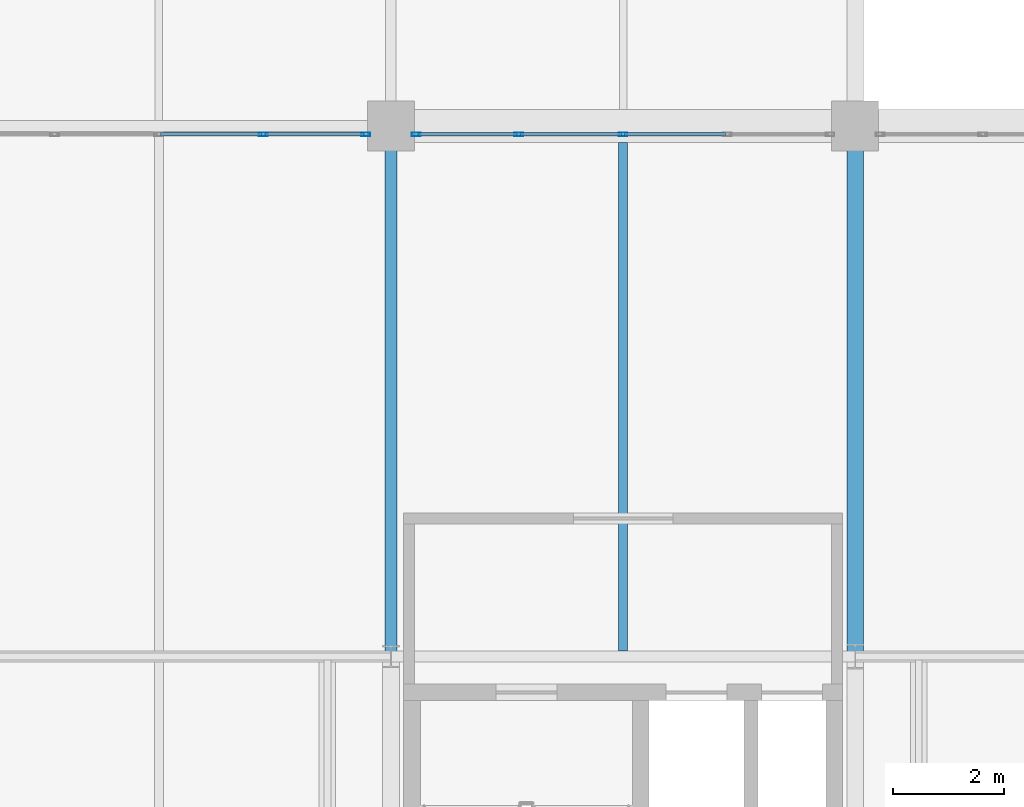
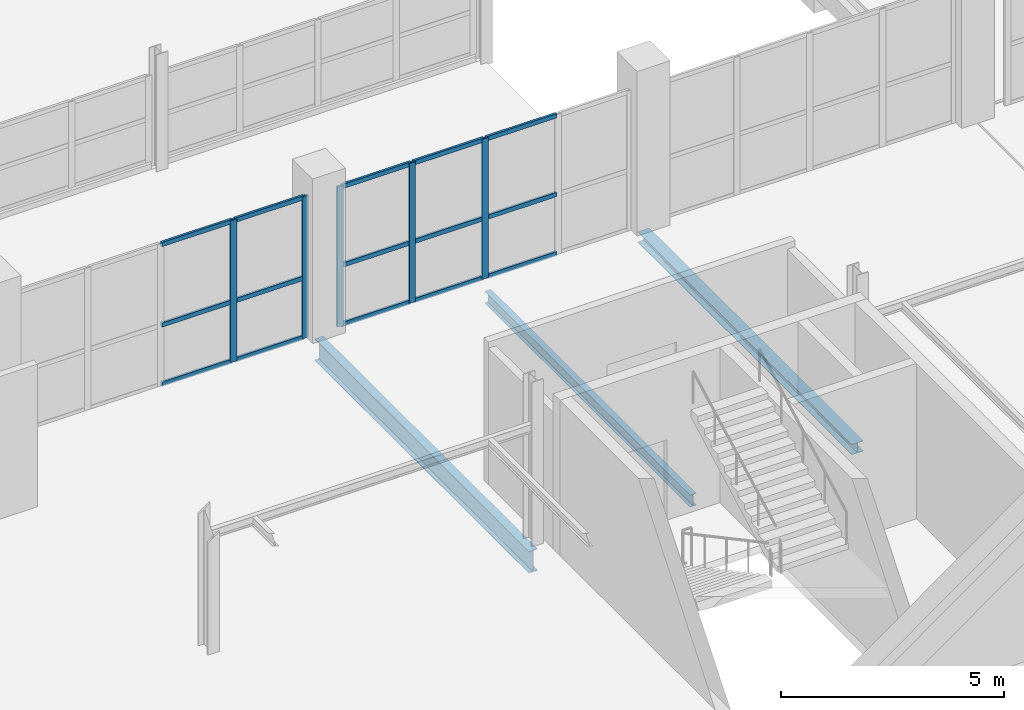
# One storey, part 40 of 103: 20 members, 3 beams, 2 elements without a shape of their own.
"""IFC4 building model written with IfcOpenShell, lengths in metres."""

from ifc_helpers import new_model, si_unit, direction, frame, origin, origin_2d, place, context, subcontext, project, spatial, hollow_rectangle, i_section, extrude, material, material_profile, profile_set, type_object, element, aggregate, save


model = new_model("IFC4")

# Units and contexts
model_context = context("Model", 3, precision=1e-05, world=origin(), true_north=direction((0.0, 1.0)))
body_context = subcontext(model_context, "Body", "Model", "MODEL_VIEW")
ifc_project = project(units=[si_unit("LENGTHUNIT", "METRE"), si_unit("AREAUNIT", "SQUARE_METRE"), si_unit("VOLUMEUNIT", "CUBIC_METRE"), si_unit("PLANEANGLEUNIT", "RADIAN"), si_unit("MASSUNIT", "GRAM", prefix="KILO")], contexts=[model_context])

# Site, building, storey
site_placement = place(None, origin())
site = spatial("IfcSite", under=ifc_project, at=site_placement, CompositionType="ELEMENT")
building_placement = place(site_placement, origin())
building = spatial("IfcBuilding", under=site, at=building_placement, Name="Veltarok Museum of Natural Sciences", CompositionType="ELEMENT")
storey_placement = place(building_placement, frame((0.0, 0.0, 21.89990234375)))
storey = spatial("IfcBuildingStorey", under=building, at=storey_placement, Name="L04", CompositionType="ELEMENT", Elevation=21.89990234375)

# Curtain wall, members
ifc_material_1 = material(Name="Low-iron triple insulated glass", Category="glass")
curtain_wall_type_1 = type_object("IfcCurtainWallType", Name="Curtain Wall System CW-V1CN4-L04-0-755x388 (CW-V1CN4 L04 755x388cm)", PredefinedType="NOTDEFINED", material=ifc_material_1)
curtain_wall_1_placement = place(storey_placement, origin())
curtain_wall_1 = element("IfcCurtainWall", 1, at=curtain_wall_1_placement, inside=storey, type_object=curtain_wall_type_1, Name="Curtain Wall CW-V1CN4-L04-0-755x388 CW-0168", PredefinedType="NOTDEFINED")
ifc_material_2 = material(Name="Thermally broken anodised aluminium", Category="aluminium")
ifc_material_profile_1 = material_profile(ifc_material_2, hollow_rectangle(XDim=0.06005859375, YDim=0.1201171875, WallThickness=0.0048828125, at=origin_2d()), Name="CW TRANSOM 60x120x5")
ifc_profile_set_1 = profile_set([ifc_material_profile_1], Name="Thermally broken anodised aluminium")
member_type_1 = type_object("IfcMemberType", Name="Curtain Wall Horizontal Transom 60x120x5", PredefinedType="USERDEFINED", material=ifc_profile_set_1)
member_1_placement = place(storey_placement, frame((89.9150390625, 19.050048828125, 0.028076171875), z_axis=(-1.0, 0.0, 0.0), x_axis=(0.0, -1.0, 0.0)))
member_1 = element("IfcMember", 2, at=member_1_placement, type_object=member_type_1, Name="CW-V1CN4-L04-0-755x388 transom 1.1", ObjectType="TRANSOM", PredefinedType="USERDEFINED", context=body_context, shape_type="SweptSolid", body=[
    extrude(hollow_rectangle(XDim=0.06005859375, YDim=0.1201171875, WallThickness=0.0048828125, at=origin_2d()), origin(), (0.0, 0.0, 1.0), 1.797607421875),
])
member_2_placement = place(storey_placement, frame((89.9150390625, 19.050048828125, 1.648193359375), z_axis=(-1.0, 0.0, 0.0), x_axis=(0.0, -1.0, 0.0)))
member_2 = element("IfcMember", 3, at=member_2_placement, type_object=member_type_1, Name="CW-V1CN4-L04-0-755x388 transom 1.2", ObjectType="TRANSOM", PredefinedType="USERDEFINED", context=body_context, shape_type="SweptSolid", body=[
    extrude(hollow_rectangle(XDim=0.06005859375, YDim=0.1201171875, WallThickness=0.0048828125, at=origin_2d()), origin(), (0.0, 0.0, 1.0), 1.797607421875),
])
member_3_placement = place(storey_placement, frame((89.9150390625, 19.050048828125, 3.85009765625), z_axis=(-1.0, 0.0, 0.0), x_axis=(0.0, -1.0, 0.0)))
member_3 = element("IfcMember", 4, at=member_3_placement, type_object=member_type_1, Name="CW-V1CN4-L04-0-755x388 transom 1.3", ObjectType="TRANSOM", PredefinedType="USERDEFINED", context=body_context, shape_type="SweptSolid", body=[
    extrude(hollow_rectangle(XDim=0.06005859375, YDim=0.1201171875, WallThickness=0.0048828125, at=origin_2d()), origin(), (0.0, 0.0, 1.0), 1.797607421875),
])
member_4_placement = place(storey_placement, frame((88.0576171875, 19.050048828125, 0.028076171875), z_axis=(-1.0, 0.0, 0.0), x_axis=(0.0, -1.0, 0.0)))
member_4 = element("IfcMember", 5, at=member_4_placement, type_object=member_type_1, Name="CW-V1CN4-L04-0-755x388 transom 2.1", ObjectType="TRANSOM", PredefinedType="USERDEFINED", context=body_context, shape_type="SweptSolid", body=[
    extrude(hollow_rectangle(XDim=0.06005859375, YDim=0.1201171875, WallThickness=0.0048828125, at=origin_2d()), origin(), (0.0, 0.0, 1.0), 1.82763671875),
])
member_5_placement = place(storey_placement, frame((88.0576171875, 19.050048828125, 1.648193359375), z_axis=(-1.0, 0.0, 0.0), x_axis=(0.0, -1.0, 0.0)))
member_5 = element("IfcMember", 6, at=member_5_placement, type_object=member_type_1, Name="CW-V1CN4-L04-0-755x388 transom 2.2", ObjectType="TRANSOM", PredefinedType="USERDEFINED", context=body_context, shape_type="SweptSolid", body=[
    extrude(hollow_rectangle(XDim=0.06005859375, YDim=0.1201171875, WallThickness=0.0048828125, at=origin_2d()), origin(), (0.0, 0.0, 1.0), 1.82763671875),
])
member_6_placement = place(storey_placement, frame((88.0576171875, 19.050048828125, 3.85009765625), z_axis=(-1.0, 0.0, 0.0), x_axis=(0.0, -1.0, 0.0)))
member_6 = element("IfcMember", 7, at=member_6_placement, type_object=member_type_1, Name="CW-V1CN4-L04-0-755x388 transom 2.3", ObjectType="TRANSOM", PredefinedType="USERDEFINED", context=body_context, shape_type="SweptSolid", body=[
    extrude(hollow_rectangle(XDim=0.06005859375, YDim=0.1201171875, WallThickness=0.0048828125, at=origin_2d()), origin(), (0.0, 0.0, 1.0), 1.82763671875),
])

curtain_wall_type_2 = type_object("IfcCurtainWallType", Name="Curtain Wall System CW-V1CN4-L04-1-755x383 (CW-V1CN4 L04 755x383cm)", PredefinedType="NOTDEFINED", material=ifc_material_1)
curtain_wall_2_placement = place(storey_placement, origin())
curtain_wall_2 = element("IfcCurtainWall", 8, at=curtain_wall_2_placement, inside=storey, type_object=curtain_wall_type_2, Name="Curtain Wall CW-V1CN4-L04-1-755x383 CW-0169", PredefinedType="NOTDEFINED")
member_7_placement = place(storey_placement, frame((96.45751953125, 19.050048828125, 0.028076171875), z_axis=(-1.0, 0.0, 0.0), x_axis=(0.0, -1.0, 0.0)))
member_7 = element("IfcMember", 9, at=member_7_placement, type_object=member_type_1, Name="CW-V1CN4-L04-1-755x383 transom 2.1", ObjectType="TRANSOM", PredefinedType="USERDEFINED", context=body_context, shape_type="SweptSolid", body=[
    extrude(hollow_rectangle(XDim=0.06005859375, YDim=0.1201171875, WallThickness=0.0048828125, at=origin_2d()), origin(), (0.0, 0.0, 1.0), 1.82763671875),
])
member_8_placement = place(storey_placement, frame((96.45751953125, 19.050048828125, 1.648193359375), z_axis=(-1.0, 0.0, 0.0), x_axis=(0.0, -1.0, 0.0)))
member_8 = element("IfcMember", 10, at=member_8_placement, type_object=member_type_1, Name="CW-V1CN4-L04-1-755x383 transom 2.2", ObjectType="TRANSOM", PredefinedType="USERDEFINED", context=body_context, shape_type="SweptSolid", body=[
    extrude(hollow_rectangle(XDim=0.06005859375, YDim=0.1201171875, WallThickness=0.0048828125, at=origin_2d()), origin(), (0.0, 0.0, 1.0), 1.82763671875),
])
member_9_placement = place(storey_placement, frame((96.45751953125, 19.050048828125, 3.800048828125), z_axis=(-1.0, 0.0, 0.0), x_axis=(0.0, -1.0, 0.0)))
member_9 = element("IfcMember", 11, at=member_9_placement, type_object=member_type_1, Name="CW-V1CN4-L04-1-755x383 transom 2.3", ObjectType="TRANSOM", PredefinedType="USERDEFINED", context=body_context, shape_type="SweptSolid", body=[
    extrude(hollow_rectangle(XDim=0.06005859375, YDim=0.1201171875, WallThickness=0.0048828125, at=origin_2d()), origin(), (0.0, 0.0, 1.0), 1.82763671875),
])
member_10_placement = place(storey_placement, frame((94.570068359375, 19.050048828125, 0.028076171875), z_axis=(-1.0, 0.0, 0.0), x_axis=(0.0, -1.0, 0.0)))
member_10 = element("IfcMember", 12, at=member_10_placement, type_object=member_type_1, Name="CW-V1CN4-L04-1-755x383 transom 3.1", ObjectType="TRANSOM", PredefinedType="USERDEFINED", context=body_context, shape_type="SweptSolid", body=[
    extrude(hollow_rectangle(XDim=0.06005859375, YDim=0.1201171875, WallThickness=0.0048828125, at=origin_2d()), origin(), (0.0, 0.0, 1.0), 1.82763671875),
])
member_11_placement = place(storey_placement, frame((94.570068359375, 19.050048828125, 1.648193359375), z_axis=(-1.0, 0.0, 0.0), x_axis=(0.0, -1.0, 0.0)))
member_11 = element("IfcMember", 13, at=member_11_placement, type_object=member_type_1, Name="CW-V1CN4-L04-1-755x383 transom 3.2", ObjectType="TRANSOM", PredefinedType="USERDEFINED", context=body_context, shape_type="SweptSolid", body=[
    extrude(hollow_rectangle(XDim=0.06005859375, YDim=0.1201171875, WallThickness=0.0048828125, at=origin_2d()), origin(), (0.0, 0.0, 1.0), 1.82763671875),
])
member_12_placement = place(storey_placement, frame((94.570068359375, 19.050048828125, 3.800048828125), z_axis=(-1.0, 0.0, 0.0), x_axis=(0.0, -1.0, 0.0)))
member_12 = element("IfcMember", 14, at=member_12_placement, type_object=member_type_1, Name="CW-V1CN4-L04-1-755x383 transom 3.3", ObjectType="TRANSOM", PredefinedType="USERDEFINED", context=body_context, shape_type="SweptSolid", body=[
    extrude(hollow_rectangle(XDim=0.06005859375, YDim=0.1201171875, WallThickness=0.0048828125, at=origin_2d()), origin(), (0.0, 0.0, 1.0), 1.82763671875),
])
member_13_placement = place(storey_placement, frame((92.6826171875, 19.050048828125, 0.028076171875), z_axis=(-1.0, 0.0, 0.0), x_axis=(0.0, -1.0, 0.0)))
member_13 = element("IfcMember", 15, at=member_13_placement, type_object=member_type_1, Name="CW-V1CN4-L04-1-755x383 transom 4.1", ObjectType="TRANSOM", PredefinedType="USERDEFINED", context=body_context, shape_type="SweptSolid", body=[
    extrude(hollow_rectangle(XDim=0.06005859375, YDim=0.1201171875, WallThickness=0.0048828125, at=origin_2d()), origin(), (0.0, 0.0, 1.0), 1.797607421875),
])
member_14_placement = place(storey_placement, frame((92.6826171875, 19.050048828125, 1.648193359375), z_axis=(-1.0, 0.0, 0.0), x_axis=(0.0, -1.0, 0.0)))
member_14 = element("IfcMember", 16, at=member_14_placement, type_object=member_type_1, Name="CW-V1CN4-L04-1-755x383 transom 4.2", ObjectType="TRANSOM", PredefinedType="USERDEFINED", context=body_context, shape_type="SweptSolid", body=[
    extrude(hollow_rectangle(XDim=0.06005859375, YDim=0.1201171875, WallThickness=0.0048828125, at=origin_2d()), origin(), (0.0, 0.0, 1.0), 1.797607421875),
])
member_15_placement = place(storey_placement, frame((92.6826171875, 19.050048828125, 3.800048828125), z_axis=(-1.0, 0.0, 0.0), x_axis=(0.0, -1.0, 0.0)))
member_15 = element("IfcMember", 17, at=member_15_placement, type_object=member_type_1, Name="CW-V1CN4-L04-1-755x383 transom 4.3", ObjectType="TRANSOM", PredefinedType="USERDEFINED", context=body_context, shape_type="SweptSolid", body=[
    extrude(hollow_rectangle(XDim=0.06005859375, YDim=0.1201171875, WallThickness=0.0048828125, at=origin_2d()), origin(), (0.0, 0.0, 1.0), 1.797607421875),
])

# Member
ifc_material_profile_2 = material_profile(ifc_material_2, hollow_rectangle(XDim=0.06005859375, YDim=0.159912109375, WallThickness=0.0048828125, at=origin_2d()), Name="CW MULLION 60x160x5")
ifc_profile_set_2 = profile_set([ifc_material_profile_2], Name="Thermally broken anodised aluminium")
member_type_2 = type_object("IfcMemberType", Name="Curtain Wall Vertical Mullion 60x160x5", PredefinedType="MULLION", material=ifc_profile_set_2)
member_16_placement = place(storey_placement, frame((89.945068359375, 19.050048828125, -0.001953125), z_axis=(0.0, 0.0, 1.0), x_axis=(0.0, -1.0, 0.0)))
member_16 = element("IfcMember", 18, at=member_16_placement, type_object=member_type_2, Name="CW-V1CN4-L04-0-755x388 mullion 1", PredefinedType="MULLION", context=body_context, shape_type="SweptSolid", body=[
    extrude(hollow_rectangle(XDim=0.06005859375, YDim=0.159912109375, WallThickness=0.0048828125, at=origin_2d()), origin(), (0.0, 0.0, 1.0), 3.882080078125),
])

member_17_placement = place(storey_placement, frame((88.08740234375, 19.050048828125, -0.001953125), z_axis=(0.0, 0.0, 1.0), x_axis=(0.0, -1.0, 0.0)))
member_17 = element("IfcMember", 19, at=member_17_placement, type_object=member_type_2, Name="CW-V1CN4-L04-0-755x388 mullion 2", PredefinedType="MULLION", context=body_context, shape_type="SweptSolid", body=[
    extrude(hollow_rectangle(XDim=0.06005859375, YDim=0.159912109375, WallThickness=0.0048828125, at=origin_2d()), origin(), (0.0, 0.0, 1.0), 3.882080078125),
])

aggregate(curtain_wall_1, [member_16, member_17, member_1, member_2, member_3, member_4, member_5, member_6])

member_18_placement = place(storey_placement, frame((94.60009765625, 19.050048828125, -0.001953125), z_axis=(0.0, 0.0, 1.0), x_axis=(0.0, -1.0, 0.0)))
member_18 = element("IfcMember", 20, at=member_18_placement, type_object=member_type_2, Name="CW-V1CN4-L04-1-755x383 mullion 3", PredefinedType="MULLION", context=body_context, shape_type="SweptSolid", body=[
    extrude(hollow_rectangle(XDim=0.06005859375, YDim=0.159912109375, WallThickness=0.0048828125, at=origin_2d()), origin(), (0.0, 0.0, 1.0), 3.83203125),
])

member_19_placement = place(storey_placement, frame((92.71240234375, 19.050048828125, -0.001953125), z_axis=(0.0, 0.0, 1.0), x_axis=(0.0, -1.0, 0.0)))
member_19 = element("IfcMember", 21, at=member_19_placement, type_object=member_type_2, Name="CW-V1CN4-L04-1-755x383 mullion 4", PredefinedType="MULLION", context=body_context, shape_type="SweptSolid", body=[
    extrude(hollow_rectangle(XDim=0.06005859375, YDim=0.159912109375, WallThickness=0.0048828125, at=origin_2d()), origin(), (0.0, 0.0, 1.0), 3.83203125),
])

member_20_placement = place(storey_placement, frame((90.85498046875, 19.050048828125, -0.001953125), z_axis=(0.0, 0.0, 1.0), x_axis=(0.0, -1.0, 0.0)))
member_20 = element("IfcMember", 22, at=member_20_placement, type_object=member_type_2, Name="CW-V1CN4-L04-1-755x383 mullion 5", PredefinedType="MULLION", context=body_context, shape_type="SweptSolid", body=[
    extrude(hollow_rectangle(XDim=0.06005859375, YDim=0.159912109375, WallThickness=0.0048828125, at=origin_2d()), origin(), (0.0, 0.0, 1.0), 3.83203125),
])

aggregate(curtain_wall_2, [member_18, member_19, member_20, member_7, member_8, member_9, member_10, member_11, member_12, member_13, member_14, member_15])

# Beams
ifc_material_3 = material(Name="Steel S355J2", Category="steel")
ifc_material_profile_3 = material_profile(ifc_material_3, i_section(OverallWidth=0.300048828125, OverallDepth=0.2900390625, WebThickness=0.008544921875, FlangeThickness=0.013916015625, FilletRadius=0.027099609375, at=origin_2d()), Name="HEA 300")
ifc_profile_set_3 = profile_set([ifc_material_profile_3], Name="Steel S355J2")
beam_type_1 = type_object("IfcBeamType", Name="Glazed Hall Edge Spandrel HEA 300", PredefinedType="SPANDREL", material=ifc_profile_set_3)
beam_1_placement = place(storey_placement, frame((98.800048828125, 9.60009765625, -0.39501953125), z_axis=(0.0, 1.0, 0.0), x_axis=(-1.0, 0.0, 0.0)))
element("IfcBeam", 23, at=beam_1_placement, inside=storey, type_object=beam_type_1, Name="Beam BM-SP03 L04 12/B-C", PredefinedType="SPANDREL", context=body_context, shape_type="SweptSolid", body=[
    extrude(i_section(OverallWidth=0.300048828125, OverallDepth=0.2900390625, WebThickness=0.008544921875, FlangeThickness=0.013916015625, FilletRadius=0.027099609375, at=origin_2d()), origin(), (0.0, 0.0, 1.0), 9.599853515625),
])
ifc_material_profile_4 = material_profile(ifc_material_3, i_section(OverallWidth=0.159912109375, OverallDepth=0.330078125, WebThickness=0.007568359375, FlangeThickness=0.011474609375, FilletRadius=0.01806640625, at=origin_2d()), Name="IPE 330")
ifc_profile_set_4 = profile_set([ifc_material_profile_4], Name="Steel S355J2")
beam_type_2 = type_object("IfcBeamType", Name="Medium-Bay Composite Joist IPE 330", PredefinedType="JOIST", material=ifc_profile_set_4)
beam_2_placement = place(storey_placement, frame((94.60009765625, 9.697998046875, -0.414794921875), z_axis=(0.0, 1.0, 0.0), x_axis=(-1.0, 0.0, 0.0)))
element("IfcBeam", 24, at=beam_2_placement, inside=storey, type_object=beam_type_2, Name="Secondary Joist BM-J02 L04 11-12/B-C.1", PredefinedType="JOIST", context=body_context, shape_type="SweptSolid", body=[
    extrude(i_section(OverallWidth=0.159912109375, OverallDepth=0.330078125, WebThickness=0.007568359375, FlangeThickness=0.011474609375, FilletRadius=0.01806640625, at=origin_2d()), origin(), (0.0, 0.0, 1.0), 9.2041015625),
])
ifc_material_profile_5 = material_profile(ifc_material_3, i_section(OverallWidth=0.219970703125, OverallDepth=0.60009765625, WebThickness=0.011962890625, FlangeThickness=0.01904296875, FilletRadius=0.02392578125, at=origin_2d()), Name="IPE 600")
ifc_profile_set_5 = profile_set([ifc_material_profile_5], Name="Steel S355J2")
beam_type_3 = type_object("IfcBeamType", Name="Primary Museum Girder IPE 600", PredefinedType="BEAM", material=ifc_profile_set_5)
beam_3_placement = place(storey_placement, frame((90.39990234375, 9.60009765625, -0.5498046875), z_axis=(0.0, 1.0, 0.0), x_axis=(-1.0, 0.0, 0.0)))
element("IfcBeam", 25, at=beam_3_placement, inside=storey, type_object=beam_type_3, Name="Beam BM-G02 L04 11/B-C", PredefinedType="BEAM", context=body_context, shape_type="SweptSolid", body=[
    extrude(i_section(OverallWidth=0.219970703125, OverallDepth=0.60009765625, WebThickness=0.011962890625, FlangeThickness=0.01904296875, FilletRadius=0.02392578125, at=origin_2d()), origin(), (0.0, 0.0, 1.0), 9.599853515625),
])

save(model, "model.ifc")
